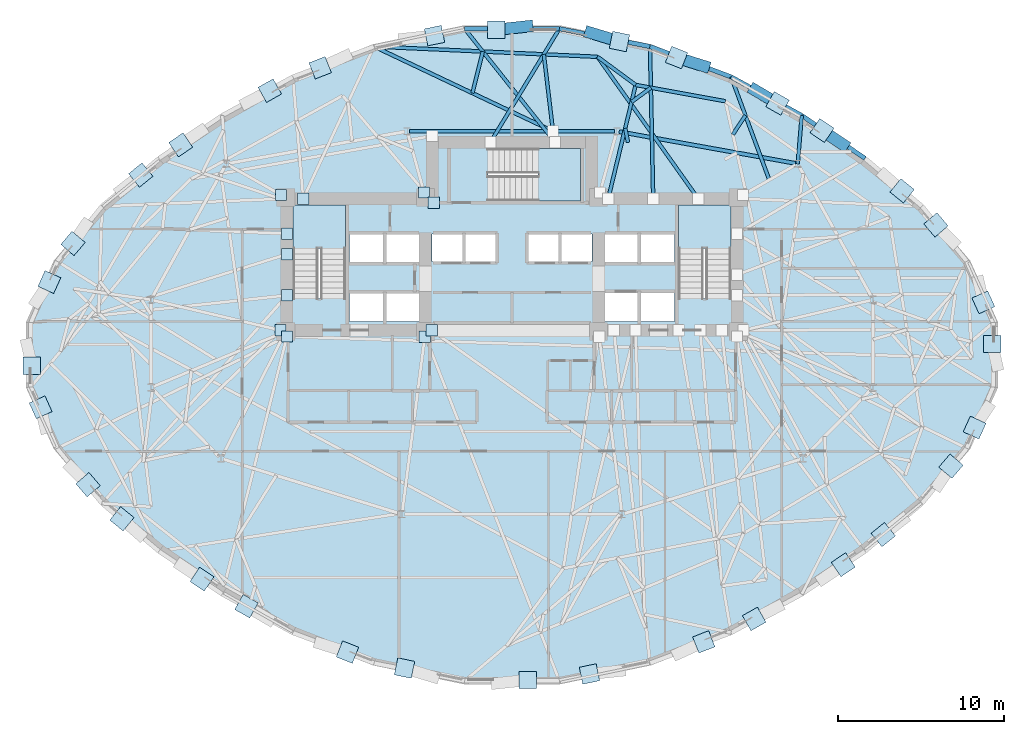
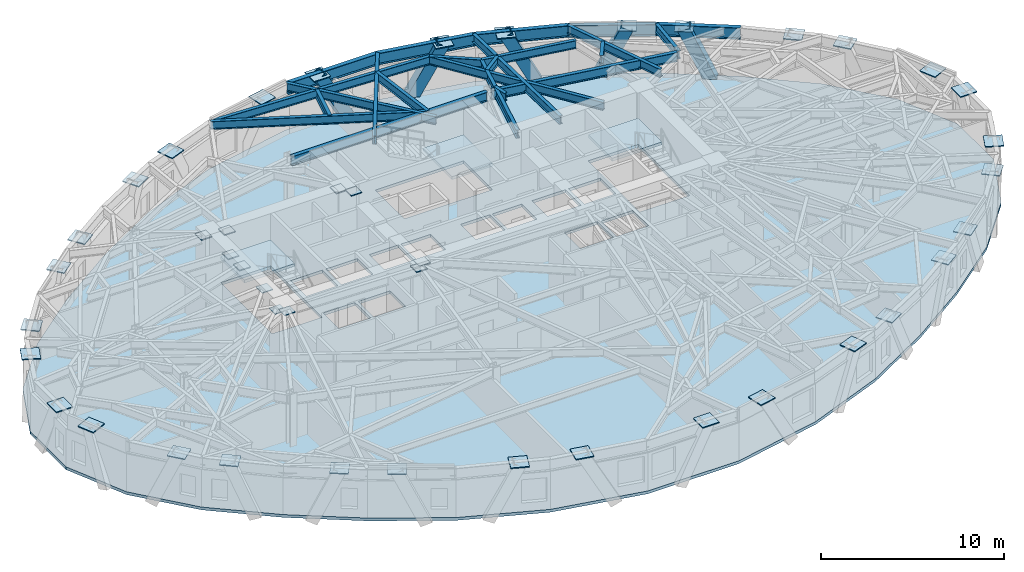
# One storey, part 5 of 14: 43 plates, 23 beams, 5 members, 4 slabs, 3 elements without a shape of their own.
"""IFC4 building model written with IfcOpenShell, lengths in metres."""

from ifc_helpers import new_model, si_unit, direction, frame, origin, origin_2d, place, context, subcontext, project, spatial, polyline, rectangle, hollow_rectangle, i_section, outline, extrude, material, layer, layer_set, material_profile, profile_set, type_object, element, aggregate, save


model = new_model("IFC4")

# Units and contexts
model_context = context("Model", 3, precision=1e-05, world=origin(), true_north=direction((0.0, 1.0)))
body_context = subcontext(model_context, "Body", "Model", "MODEL_VIEW")
ifc_project = project(units=[si_unit("LENGTHUNIT", "METRE"), si_unit("AREAUNIT", "SQUARE_METRE"), si_unit("VOLUMEUNIT", "CUBIC_METRE"), si_unit("PLANEANGLEUNIT", "RADIAN"), si_unit("MASSUNIT", "GRAM", prefix="KILO")], contexts=[model_context])

# Site, building, storey
site_placement = place(None, origin())
site = spatial("IfcSite", under=ifc_project, at=site_placement, CompositionType="ELEMENT")
building_placement = place(site_placement, origin())
building = spatial("IfcBuilding", under=site, at=building_placement, Name="Keldmark Tower", CompositionType="ELEMENT")
storey_placement = place(building_placement, frame((0.0, 0.0, 86.10009765625)))
storey = spatial("IfcBuildingStorey", under=building, at=storey_placement, Name="L22", CompositionType="ELEMENT", Elevation=86.10009765625)

# Members
ifc_material_1 = material(Name="Steel ASTM A572 Grade 50", Category="steel")
ifc_material_profile_1 = material_profile(ifc_material_1, hollow_rectangle(XDim=0.699951171875, YDim=0.699951171875, WallThickness=0.054931640625, at=origin_2d()), Name="BOX700X700X55")
ifc_profile_set_1 = profile_set([ifc_material_profile_1], Name="Steel ASTM A572 Grade 50")
member_type = type_object("IfcMemberType", Name="Diagrid Zone 1 Brace BOX700X700X55", PredefinedType="BRACE", material=ifc_profile_set_1)
member_1_placement = place(storey_placement, frame((19.90478515625, 12.62548828125, -0.27001953125), z_axis=(-0.336502413417, 0.226205475149, 0.91411006382), x_axis=(-0.557889925852, -0.829914953855, 0.0)))
element("IfcMember", 1, at=member_1_placement, inside=storey, type_object=member_type, Name="L22 Perimeter Diagrid Brace 02B", PredefinedType="BRACE", context=body_context, shape_type="SweptSolid", body=[
    extrude(hollow_rectangle(XDim=0.699951171875, YDim=0.699951171875, WallThickness=0.054931640625, at=origin_2d()), origin(), (0.0, 0.0, 1.0), 3.78515625),
])
member_2_placement = place(storey_placement, frame((14.57568359375, 15.91845703125, -0.27001953125), z_axis=(0.362376474624, -0.21307224515, 0.907349717026), x_axis=(0.506860377155, 0.862028165474, 0.0)))
element("IfcMember", 2, at=member_2_placement, inside=storey, type_object=member_type, Name="L22 Perimeter Diagrid Brace 03A", PredefinedType="BRACE", context=body_context, shape_type="SweptSolid", body=[
    extrude(hollow_rectangle(XDim=0.699951171875, YDim=0.699951171875, WallThickness=0.054931640625, at=origin_2d()), origin(), (0.0, 0.0, 1.0), 3.813232421875),
])
member_3_placement = place(storey_placement, frame((11.564453125, 17.337890625, -0.27001953125), z_axis=(-0.432093442347, 0.135328042296, 0.891617394429), x_axis=(-0.298876215948, -0.95429188802, 0.0)))
element("IfcMember", 3, at=member_3_placement, inside=storey, type_object=member_type, Name="L22 Perimeter Diagrid Brace 03B", PredefinedType="BRACE", context=body_context, shape_type="SweptSolid", body=[
    extrude(hollow_rectangle(XDim=0.699951171875, YDim=0.699951171875, WallThickness=0.054931640625, at=origin_2d()), origin(), (0.0, 0.0, 1.0), 3.880615234375),
])
member_4_placement = place(storey_placement, frame((4.68408203125, 19.361328125, -0.27001953125), z_axis=(0.452043716939, -0.136769968843, 0.881447930169), x_axis=(0.289594344193, 0.957149474122, 0.0)))
element("IfcMember", 4, at=member_4_placement, inside=storey, type_object=member_type, Name="L22 Perimeter Diagrid Brace 04A", PredefinedType="BRACE", context=body_context, shape_type="SweptSolid", body=[
    extrude(hollow_rectangle(XDim=0.699951171875, YDim=0.699951171875, WallThickness=0.054931640625, at=origin_2d()), origin(), (0.0, 0.0, 1.0), 3.92529296875),
])
member_5_placement = place(storey_placement, frame((0.952880859375, 19.738037109375, -0.27001953125), z_axis=(-0.48225698925, -0.051033465145, 0.874542041159), x_axis=(0.105234551989, -0.994447429012, 0.0)))
element("IfcMember", 5, at=member_5_placement, inside=storey, type_object=member_type, Name="L22 Perimeter Diagrid Brace 04B", PredefinedType="BRACE", context=body_context, shape_type="SweptSolid", body=[
    extrude(hollow_rectangle(XDim=0.699951171875, YDim=0.699951171875, WallThickness=0.054931640625, at=origin_2d()), origin(), (0.0, 0.0, 1.0), 3.956298828125),
])

# Beams
ifc_material_2 = material(Name="Steel ASTM A992 Grade 50", Category="steel")
ifc_material_profile_2 = material_profile(ifc_material_2, i_section(OverallWidth=0.22900390625, OverallDepth=0.612060546875, WebThickness=0.011962890625, FlangeThickness=0.01953125, at=origin_2d()), Name="W24X84")
ifc_profile_set_2 = profile_set([ifc_material_profile_2], Name="Steel ASTM A992 Grade 50")
beam_type_1 = type_object("IfcBeamType", Name="Primary Floor Girder W24X84", PredefinedType="BEAM", material=ifc_profile_set_2)
beam_1_placement = place(storey_placement, frame((17.029296875, 11.503173828125, 3.00390625), z_axis=(-0.984218266992, 0.176958760505, 0.0), x_axis=(-0.176958760505, -0.984218266992, 0.0)))
element("IfcBeam", 6, at=beam_1_placement, inside=storey, type_object=beam_type_1, Name="L22 Floor Ring Girder FG-R02", PredefinedType="BEAM", context=body_context, shape_type="SweptSolid", body=[
    extrude(i_section(OverallWidth=0.22900390625, OverallDepth=0.612060546875, WebThickness=0.011962890625, FlangeThickness=0.01953125, at=origin_2d()), origin(), (0.0, 0.0, 1.0), 10.7626953125),
])
beam_2_placement = place(storey_placement, frame((6.15869140625, 13.4326171875, 3.00390625), z_axis=(-1.0, 0.0, 0.0), x_axis=(0.0, -1.0, 0.0)))
element("IfcBeam", 7, at=beam_2_placement, inside=storey, type_object=beam_type_1, Name="L22 Floor Ring Girder FG-R03", PredefinedType="BEAM", context=body_context, shape_type="SweptSolid", body=[
    extrude(i_section(OverallWidth=0.22900390625, OverallDepth=0.612060546875, WebThickness=0.011962890625, FlangeThickness=0.01953125, at=origin_2d()), origin(), (0.0, 0.0, 1.0), 12.3173828125),
])
ifc_material_3 = material(Name="Steel ASTM A992 Grade 50", Category="steel")
ifc_material_profile_3 = material_profile(ifc_material_3, i_section(OverallWidth=0.2099609375, OverallDepth=0.537109375, WebThickness=0.010986328125, FlangeThickness=0.017333984375, at=origin_2d()), Name="W21X68")
ifc_profile_set_3 = profile_set([ifc_material_profile_3], Name="Steel ASTM A992 Grade 50")
beam_type_2 = type_object("IfcBeamType", Name="Radial Tie Girder W21X68", PredefinedType="BEAM", material=ifc_profile_set_3)
beam_3_placement = place(storey_placement, frame((17.1669921875, 11.478271484375, 3.04150390625), z_axis=(0.083357785525, 0.996519683495, 0.0), x_axis=(-0.996519683495, 0.083357785525, 0.0)))
element("IfcBeam", 8, at=beam_3_placement, inside=storey, type_object=beam_type_2, Name="L22 Perimeter Column Bracket RT-05", PredefinedType="BEAM", context=body_context, shape_type="SweptSolid", body=[
    extrude(i_section(OverallWidth=0.2099609375, OverallDepth=0.537109375, WebThickness=0.010986328125, FlangeThickness=0.017333984375, at=origin_2d()), origin(), (0.0, 0.0, 1.0), 2.911376953125),
])
beam_4_placement = place(storey_placement, frame((13.269775390625, 13.239501953125, 3.04150390625), z_axis=(0.552723640916, 0.833364612143, 0.0), x_axis=(-0.833364612143, 0.552723640916, 0.0)))
element("IfcBeam", 9, at=beam_4_placement, inside=storey, type_object=beam_type_2, Name="L22 Framing Pin Header PH-014", PredefinedType="BEAM", context=body_context, shape_type="SweptSolid", body=[
    extrude(i_section(OverallWidth=0.2099609375, OverallDepth=0.537109375, WebThickness=0.010986328125, FlangeThickness=0.017333984375, at=origin_2d()), origin(), (0.0, 0.0, 1.0), 1.369384765625),
])
beam_5_placement = place(storey_placement, frame((15.4619140625, 10.508544921875, 3.04150390625), z_axis=(-0.347574523396, 0.937652361318, 0.0), x_axis=(-0.937652361318, -0.347574523396, 0.0)))
element("IfcBeam", 10, at=beam_5_placement, inside=storey, type_object=beam_type_2, Name="L22 Perimeter Radial Tie Girder RT-06", PredefinedType="BEAM", context=body_context, shape_type="SweptSolid", body=[
    extrude(i_section(OverallWidth=0.2099609375, OverallDepth=0.537109375, WebThickness=0.010986328125, FlangeThickness=0.017333984375, at=origin_2d()), origin(), (0.0, 0.0, 1.0), 6.601318359375),
])
beam_6_placement = place(storey_placement, frame((6.973388671875, 12.7626953125, 3.04150390625), z_axis=(-0.198890105233, 0.980021798758, 0.0), x_axis=(-0.980021798758, -0.198890105233, 0.0)))
element("IfcBeam", 11, at=beam_6_placement, inside=storey, type_object=beam_type_2, Name="L22 Framing Pin Header PH-015", PredefinedType="BEAM", context=body_context, shape_type="SweptSolid", body=[
    extrude(i_section(OverallWidth=0.2099609375, OverallDepth=0.537109375, WebThickness=0.010986328125, FlangeThickness=0.017333984375, at=origin_2d()), origin(), (0.0, 0.0, 1.0), 0.863037109375),
])
beam_7_placement = place(storey_placement, frame((5.778564453125, 9.375, 3.04150390625), z_axis=(0.234921939955, 0.972014239673, 0.0), x_axis=(-0.972014239673, 0.234921939955, 0.0)))
element("IfcBeam", 12, at=beam_7_placement, inside=storey, type_object=beam_type_2, Name="L22 Intermediate Radial Step Girder RT-07M", PredefinedType="BEAM", context=body_context, shape_type="SweptSolid", body=[
    extrude(i_section(OverallWidth=0.2099609375, OverallDepth=0.537109375, WebThickness=0.010986328125, FlangeThickness=0.017333984375, at=origin_2d()), origin(), (0.0, 0.0, 1.0), 7.038818359375),
])
beam_8_placement = place(storey_placement, frame((12.819091796875, 15.236328125, 3.04150390625), z_axis=(-0.983837076681, 0.179065927938, 0.0), x_axis=(-0.179065927938, -0.983837076681, 0.0)))
element("IfcBeam", 13, at=beam_8_placement, inside=storey, type_object=beam_type_2, Name="L22 Local Collector Chord RT-07C", PredefinedType="BEAM", context=body_context, shape_type="SweptSolid", body=[
    extrude(i_section(OverallWidth=0.2099609375, OverallDepth=0.537109375, WebThickness=0.010986328125, FlangeThickness=0.017333984375, at=origin_2d()), origin(), (0.0, 0.0, 1.0), 5.475341796875),
])
beam_9_placement = place(storey_placement, frame((7.18408203125, 15.1904296875, 3.04150390625), z_axis=(0.802852553664, 0.596177638859, 0.0), x_axis=(-0.596177638859, 0.802852553664, 0.0)))
element("IfcBeam", 14, at=beam_9_placement, inside=storey, type_object=beam_type_2, Name="L22 Framing Pin Header PH-016", PredefinedType="BEAM", context=body_context, shape_type="SweptSolid", body=[
    extrude(i_section(OverallWidth=0.2099609375, OverallDepth=0.537109375, WebThickness=0.010986328125, FlangeThickness=0.017333984375, at=origin_2d()), origin(), (0.0, 0.0, 1.0), 1.443603515625),
])
beam_10_placement = place(storey_placement, frame((8.485595703125, 9.375, 3.04150390625), z_axis=(-0.021340994824, 0.999772255036, 0.0), x_axis=(-0.999772255036, -0.021340994824, 0.0)))
element("IfcBeam", 15, at=beam_10_placement, inside=storey, type_object=beam_type_2, Name="L22 Perimeter Radial Tie Girder RT-07", PredefinedType="BEAM", context=body_context, shape_type="SweptSolid", body=[
    extrude(i_section(OverallWidth=0.2099609375, OverallDepth=0.537109375, WebThickness=0.010986328125, FlangeThickness=0.017333984375, at=origin_2d()), origin(), (0.0, 0.0, 1.0), 9.152099609375),
])
beam_11_placement = place(storey_placement, frame((11.19287109375, 9.375, 3.04150390625), z_axis=(-0.578669895457, 0.815561862823, 0.0), x_axis=(-0.815561862823, -0.578669895457, 0.0)))
element("IfcBeam", 16, at=beam_11_placement, inside=storey, type_object=beam_type_2, Name="L22 Intermediate Radial Step Girder RT-08M", PredefinedType="BEAM", context=body_context, shape_type="SweptSolid", body=[
    extrude(i_section(OverallWidth=0.2099609375, OverallDepth=0.537109375, WebThickness=0.010986328125, FlangeThickness=0.017333984375, at=origin_2d()), origin(), (0.0, 0.0, 1.0), 10.460693359375),
])
beam_12_placement = place(storey_placement, frame((7.43212890625, 16.216796875, 3.04150390625), z_axis=(-0.805012738928, 0.593257524322, 0.0), x_axis=(-0.593257524322, -0.805012738928, 0.0)))
element("IfcBeam", 17, at=beam_12_placement, inside=storey, type_object=beam_type_2, Name="L22 Local Collector Chord RT-08C", PredefinedType="BEAM", context=body_context, shape_type="SweptSolid", body=[
    extrude(i_section(OverallWidth=0.2099609375, OverallDepth=0.537109375, WebThickness=0.010986328125, FlangeThickness=0.017333984375, at=origin_2d()), origin(), (0.0, 0.0, 1.0), 2.84765625),
])
beam_13_placement = place(storey_placement, frame((5.1396484375, 17.90625, 3.04150390625), z_axis=(-0.99894068477, 0.046016391776, 0.0), x_axis=(-0.046016391776, -0.99894068477, 0.0)))
element("IfcBeam", 18, at=beam_13_placement, inside=storey, type_object=beam_type_2, Name="L22 Straddling Support Chord RT-08RB", PredefinedType="BEAM", context=body_context, shape_type="SweptSolid", body=[
    extrude(i_section(OverallWidth=0.2099609375, OverallDepth=0.537109375, WebThickness=0.010986328125, FlangeThickness=0.017333984375, at=origin_2d()), origin(), (0.0, 0.0, 1.0), 13.444091796875),
])
beam_14_placement = place(storey_placement, frame((2.46337890625, 13.4326171875, 3.04150390625), z_axis=(-0.118475144159, 0.992957018313, 0.0), x_axis=(-0.992957018313, -0.118475144159, 0.0)))
element("IfcBeam", 19, at=beam_14_placement, inside=storey, type_object=beam_type_2, Name="L22 Framing Pin Header PH-040", PredefinedType="BEAM", context=body_context, shape_type="SweptSolid", body=[
    extrude(i_section(OverallWidth=0.2099609375, OverallDepth=0.537109375, WebThickness=0.010986328125, FlangeThickness=0.017333984375, at=origin_2d()), origin(), (0.0, 0.0, 1.0), 4.655029296875),
])
beam_15_placement = place(storey_placement, frame((-1.293701171875, 12.77490234375, 3.04150390625), z_axis=(0.518956577687, 0.854800602758, 0.0), x_axis=(-0.854800602758, 0.518956577687, 0.0)))
element("IfcBeam", 20, at=beam_15_placement, inside=storey, type_object=beam_type_2, Name="L22 Perimeter Radial Tie Girder RT-08R", PredefinedType="BEAM", context=body_context, shape_type="SweptSolid", body=[
    extrude(i_section(OverallWidth=0.2099609375, OverallDepth=0.537109375, WebThickness=0.010986328125, FlangeThickness=0.017333984375, at=origin_2d()), origin(), (0.0, 0.0, 1.0), 7.979736328125),
])
beam_16_placement = place(storey_placement, frame((2.46337890625, 13.4326171875, 3.04150390625), z_axis=(-0.903788386651, 0.427979616518, 0.0), x_axis=(-0.427979616518, -0.903788386651, 0.0)))
element("IfcBeam", 21, at=beam_16_placement, inside=storey, type_object=beam_type_2, Name="L22 Straddling Support Chord RT-09RB", PredefinedType="BEAM", context=body_context, shape_type="SweptSolid", body=[
    extrude(i_section(OverallWidth=0.2099609375, OverallDepth=0.537109375, WebThickness=0.010986328125, FlangeThickness=0.017333984375, at=origin_2d()), origin(), (0.0, 0.0, 1.0), 11.8984375),
])
beam_17_placement = place(storey_placement, frame((-2.375732421875, 15.72412109375, 3.04150390625), z_axis=(0.24139812914, 0.970426165789, 0.0), x_axis=(-0.970426165789, 0.24139812914, 0.0)))
element("IfcBeam", 22, at=beam_17_placement, inside=storey, type_object=beam_type_2, Name="L22 Framing Pin Header PH-041", PredefinedType="BEAM", context=body_context, shape_type="SweptSolid", body=[
    extrude(i_section(OverallWidth=0.2099609375, OverallDepth=0.537109375, WebThickness=0.010986328125, FlangeThickness=0.017333984375, at=origin_2d()), origin(), (0.0, 0.0, 1.0), 2.575927734375),
])
beam_18_placement = place(storey_placement, frame((2.58740234375, 12.77490234375, 3.04150390625), z_axis=(-0.62315421326, 0.782098987659, 0.0), x_axis=(-0.782098987659, -0.62315421326, 0.0)))
element("IfcBeam", 23, at=beam_18_placement, inside=storey, type_object=beam_type_2, Name="L22 Perimeter Radial Tie Girder RT-09R", PredefinedType="BEAM", context=body_context, shape_type="SweptSolid", body=[
    extrude(i_section(OverallWidth=0.2099609375, OverallDepth=0.537109375, WebThickness=0.010986328125, FlangeThickness=0.017333984375, at=origin_2d()), origin(), (0.0, 0.0, 1.0), 8.721435546875),
])
ifc_material_4 = material(Name="Steel ASTM A992 Grade 50", Category="steel")
ifc_material_profile_4 = material_profile(ifc_material_4, i_section(OverallWidth=0.26806640625, OverallDepth=0.77001953125, WebThickness=0.015625, FlangeThickness=0.025390625, at=origin_2d()), Name="W30X132")
ifc_profile_set_4 = profile_set([ifc_material_profile_4], Name="Steel ASTM A992 Grade 50")
beam_type_3 = type_object("IfcBeamType", Name="Spandrel Ring Beam W30X132", PredefinedType="SPANDREL", material=ifc_profile_set_4)
beam_19_placement = place(storey_placement, frame((21.213623046875, 11.80078125, 2.9248046875), z_axis=(-0.827742791179, 0.561107718403, 0.0), x_axis=(-0.561107718403, -0.827742791179, 0.0)))
element("IfcBeam", 24, at=beam_19_placement, inside=storey, type_object=beam_type_3, Name="L22 Perimeter Spandrel Ring Beam SRB-04", PredefinedType="SPANDREL", context=body_context, shape_type="SweptSolid", body=[
    extrude(i_section(OverallWidth=0.26806640625, OverallDepth=0.77001953125, WebThickness=0.015625, FlangeThickness=0.025390625, at=origin_2d()), origin(), (0.0, 0.0, 1.0), 4.595458984375),
])
beam_20_placement = place(storey_placement, frame((17.40966796875, 14.37939453125, 2.9248046875), z_axis=(-0.877466786029, 0.479637404104, 0.0), x_axis=(-0.479637404104, -0.877466786029, 0.0)))
element("IfcBeam", 25, at=beam_20_placement, inside=storey, type_object=beam_type_3, Name="L22 Perimeter Spandrel Ring Beam SRB-05", PredefinedType="SPANDREL", context=body_context, shape_type="SweptSolid", body=[
    extrude(i_section(OverallWidth=0.26806640625, OverallDepth=0.77001953125, WebThickness=0.015625, FlangeThickness=0.025390625, at=origin_2d()), origin(), (0.0, 0.0, 1.0), 4.83447265625),
])
beam_21_placement = place(storey_placement, frame((13.16748046875, 16.6982421875, 2.9248046875), z_axis=(-0.936473584013, 0.350738116613, 0.0), x_axis=(-0.350738116613, -0.936473584013, 0.0)))
element("IfcBeam", 26, at=beam_21_placement, inside=storey, type_object=beam_type_3, Name="L22 Perimeter Spandrel Ring Beam SRB-06", PredefinedType="SPANDREL", context=body_context, shape_type="SweptSolid", body=[
    extrude(i_section(OverallWidth=0.26806640625, OverallDepth=0.77001953125, WebThickness=0.015625, FlangeThickness=0.025390625, at=origin_2d()), origin(), (0.0, 0.0, 1.0), 5.2080078125),
])
beam_22_placement = place(storey_placement, frame((8.290283203125, 18.52490234375, 2.9248046875), z_axis=(-0.981183659994, 0.193076734386, 0.0), x_axis=(-0.193076734386, -0.981183659994, 0.0)))
element("IfcBeam", 27, at=beam_22_placement, inside=storey, type_object=beam_type_3, Name="L22 Perimeter Spandrel Ring Beam SRB-07", PredefinedType="SPANDREL", context=body_context, shape_type="SweptSolid", body=[
    extrude(i_section(OverallWidth=0.26806640625, OverallDepth=0.77001953125, WebThickness=0.015625, FlangeThickness=0.025390625, at=origin_2d()), origin(), (0.0, 0.0, 1.0), 5.54736328125),
])
beam_23_placement = place(storey_placement, frame((2.847412109375, 19.595947265625, 2.9248046875), z_axis=(-1.0, 0.0, 0.0), x_axis=(0.0, -1.0, 0.0)))
element("IfcBeam", 28, at=beam_23_placement, inside=storey, type_object=beam_type_3, Name="L22 Perimeter Spandrel Ring Beam SRB-08", PredefinedType="SPANDREL", context=body_context, shape_type="SweptSolid", body=[
    extrude(i_section(OverallWidth=0.26806640625, OverallDepth=0.77001953125, WebThickness=0.015625, FlangeThickness=0.025390625, at=origin_2d()), origin(), (0.0, 0.0, 1.0), 5.69482421875),
])

# Plates
ifc_material_5 = material(Name="Steel ASTM A572 Grade 50", Category="steel")
ifc_layer_1 = layer(ifc_material_5, 0.06005859375)
ifc_layer_set_1 = layer_set([ifc_layer_1], Name="Steel ASTM A572 Grade 50")
plate_type_1 = type_object("IfcPlateType", Name="Belt Truss Kink Node Assembly KN01 60 mm", PredefinedType="USERDEFINED", material=ifc_layer_set_1)
for number, where, z_axis, x_axis, name in (
    (29, (-5.28515625, 9.758544921875, 3.0078125), (0.0, 0.0, 1.0), (1.0, 0.0, 0.0), "L22 Core Wall Cast-In Embed Plate 591"),
    (30, (-13.878173828125, 9.608154296875, 3.0078125), (0.0, 0.0, 1.0), (1.0, 0.0, 0.0), "L22 Core Wall Cast-In Embed Plate 592"),
    (31, (-13.91162109375, 1.473388671875, 3.0078125), (0.0, 0.0, 1.0), (1.0, 0.0, 0.0), "L22 Core Wall Cast-In Embed Plate 593"),
    (32, (-5.24072265625, 1.08251953125, 3.0078125), (0.0, 0.0, 1.0), (1.0, 0.0, 0.0), "L22 Core Wall Cast-In Embed Plate 594"),
    (33, (-4.699951171875, 9.139892578125, 3.01416015625), (0.0, 0.0, 1.0), (1.0, 0.0, 0.0), "L22 Core Wall Cast-In Embed Plate 596"),
    (34, (-13.52490234375, 6.04296875, 3.01416015625), (0.0, 0.0, 1.0), (1.0, 0.0, 0.0), "L22 Core Wall Cast-In Embed Plate 599"),
    (35, (-12.54638671875, 9.375, 3.01416015625), (0.0, 0.0, 1.0), (1.0, 0.0, 0.0), "L22 Core Wall Cast-In Embed Plate 606"),
    (36, (-13.52490234375, 7.278564453125, 3.01416015625), (0.0, 0.0, 1.0), (1.0, 0.0, 0.0), "L22 Core Wall Cast-In Embed Plate 607"),
    (37, (-13.52490234375, 3.5712890625, 3.01416015625), (0.0, 0.0, 1.0), (1.0, 0.0, 0.0), "L22 Core Wall Cast-In Embed Plate 608"),
    (38, (-4.824951171875, 1.47509765625, 3.01416015625), (0.0, 0.0, 1.0), (1.0, 0.0, 0.0), "L22 Core Wall Cast-In Embed Plate 613"),
    (39, (-13.52490234375, 1.10009765625, 3.01416015625), (0.0, 0.0, 1.0), (1.0, 0.0, 0.0), "L22 Core Wall Cast-In Embed Plate 614"),
):
    element("IfcPlate", number, at=place(storey_placement, frame(where, z_axis=z_axis, x_axis=x_axis)), inside=storey, type_object=plate_type_1, Name=name, ObjectType="CAP PLATE", PredefinedType="USERDEFINED", context=body_context, shape_type="SweptSolid", body=[
        extrude(rectangle(XDim=0.679931640625, YDim=0.679931640625, at=origin_2d()), origin(), (0.0, 0.0, 1.0), 0.054931640625),
    ])
ifc_material_6 = material(Name="Steel ASTM A572 Grade 50", Category="steel")
ifc_layer_2 = layer(ifc_material_6, 0.06494140625)
ifc_layer_set_2 = layer_set([ifc_layer_2], Name="Steel ASTM A572 Grade 50")
plate_type_2 = type_object("IfcPlateType", Name="Diagrid Node Assembly DN02 65 mm", PredefinedType="USERDEFINED", material=ifc_layer_set_2)
for number, where, z_axis, x_axis, name in (
    (40, (28.3232421875, 3.15380859375, 3.157470703125), (0.0, 0.0, 1.0), (-0.411832473288, 0.911259575503, 0.0), "L22 Diagrid Node Assembly 01"),
    (41, (25.4755859375, 7.80615234375, 3.157470703125), (0.0, 0.0, 1.0), (-0.648917026597, 0.760859180527, 0.0), "L22 Diagrid Node Assembly 02"),
    (42, (23.441650390625, 9.855712890625, 3.157470703125), (0.0, 0.0, 1.0), (-0.775716079622, 0.63108205791, 0.0), "L22 Diagrid Node Assembly 03"),
    (43, (18.631103515625, 13.481689453125, 3.157470703125), (0.0, 0.0, 1.0), (-0.827766671236, 0.56107248907, 0.0), "L22 Diagrid Node Assembly 04"),
    (44, (15.95751953125, 15.10595703125, 3.157470703125), (0.0, 0.0, 1.0), (-0.870699260309, 0.49181581725, 0.0), "L22 Diagrid Node Assembly 05"),
    (45, (9.8876953125, 17.863037109375, 3.157470703125), (0.0, 0.0, 1.0), (-0.931055815863, 0.364876784338, 0.0), "L22 Diagrid Node Assembly 06"),
    (46, (6.45849609375, 18.824462890625, 3.157470703125), (0.0, 0.0, 1.0), (-0.979116497217, 0.2032999874, 0.0), "L22 Diagrid Node Assembly 07"),
    (47, (-0.955078125, 19.5361328125, 3.157470703125), (0.0, 0.0, 1.0), (-1.0, 0.0, 0.0), "L22 Diagrid Node Assembly 08"),
    (48, (-4.65576171875, 19.17919921875, 3.157470703125), (0.0, 0.0, 1.0), (-0.979116497217, -0.2032999874, 0.0), "L22 Diagrid Node Assembly 09"),
    (49, (-11.5244140625, 17.249755859375, 3.157470703125), (0.0, 0.0, 1.0), (-0.931055815863, -0.364876784338, 0.0), "L22 Diagrid Node Assembly 10"),
    (50, (-14.55322265625, 15.872314453125, 3.157470703125), (0.0, 0.0, 1.0), (-0.870699260309, -0.49181581725, 0.0), "L22 Diagrid Node Assembly 11"),
    (51, (-19.907470703125, 12.614013671875, 3.157470703125), (0.0, 0.0, 1.0), (-0.827766671236, -0.56107248907, 0.0), "L22 Diagrid Node Assembly 12"),
    (52, (-22.3076171875, 10.80419921875, 3.157470703125), (0.0, 0.0, 1.0), (-0.775716079622, -0.63108205791, 0.0), "L22 Diagrid Node Assembly 13"),
    (53, (-26.37841796875, 6.693115234375, 3.157470703125), (0.0, 0.0, 1.0), (-0.648917026597, -0.760859180527, 0.0), "L22 Diagrid Node Assembly 14"),
    (54, (-27.798583984375, 4.372314453125, 3.157470703125), (0.0, 0.0, 1.0), (-0.411832473288, -0.911259575503, 0.0), "L22 Diagrid Node Assembly 15"),
    (55, (-28.849853515625, -0.649169921875, 3.157470703125), (0.0, 0.0, 1.0), (0.0, -1.0, 0.0), "L22 Diagrid Node Assembly 16"),
    (56, (-28.3232421875, -3.15380859375, 3.157470703125), (0.0, 0.0, 1.0), (0.411832473288, -0.911259575503, 0.0), "L22 Diagrid Node Assembly 17"),
    (57, (-25.4755859375, -7.80615234375, 3.157470703125), (0.0, 0.0, 1.0), (0.648917026597, -0.760859180527, 0.0), "L22 Diagrid Node Assembly 18"),
    (58, (-23.441650390625, -9.855712890625, 3.157470703125), (0.0, 0.0, 1.0), (0.775716079622, -0.63108205791, 0.0), "L22 Diagrid Node Assembly 19"),
    (59, (-18.631103515625, -13.481689453125, 3.157470703125), (0.0, 0.0, 1.0), (0.827766671236, -0.56107248907, 0.0), "L22 Diagrid Node Assembly 20"),
    (60, (-15.95751953125, -15.10595703125, 3.157470703125), (0.0, 0.0, 1.0), (0.870699260309, -0.49181581725, 0.0), "L22 Diagrid Node Assembly 21"),
    (61, (-9.8876953125, -17.863037109375, 3.157470703125), (0.0, 0.0, 1.0), (0.931055815863, -0.364876784338, 0.0), "L22 Diagrid Node Assembly 22"),
    (62, (-6.45849609375, -18.824462890625, 3.157470703125), (0.0, 0.0, 1.0), (0.979116497217, -0.2032999874, 0.0), "L22 Diagrid Node Assembly 23"),
    (63, (0.955078125, -19.5361328125, 3.157470703125), (0.0, 0.0, 1.0), (1.0, 0.0, 0.0), "L22 Diagrid Node Assembly 24"),
    (64, (4.65576171875, -19.17919921875, 3.157470703125), (0.0, 0.0, 1.0), (0.979116497217, 0.2032999874, 0.0), "L22 Diagrid Node Assembly 25"),
    (65, (11.5244140625, -17.249755859375, 3.157470703125), (0.0, 0.0, 1.0), (0.931055815863, 0.364876784338, 0.0), "L22 Diagrid Node Assembly 26"),
    (66, (14.55322265625, -15.872314453125, 3.157470703125), (0.0, 0.0, 1.0), (0.870699260309, 0.49181581725, 0.0), "L22 Diagrid Node Assembly 27"),
    (67, (19.907470703125, -12.614013671875, 3.157470703125), (0.0, 0.0, 1.0), (0.827766671236, 0.56107248907, 0.0), "L22 Diagrid Node Assembly 28"),
    (68, (22.3076171875, -10.80419921875, 3.157470703125), (0.0, 0.0, 1.0), (0.775716079622, 0.63108205791, 0.0), "L22 Diagrid Node Assembly 29"),
    (69, (26.37841796875, -6.693115234375, 3.157470703125), (0.0, 0.0, 1.0), (0.648917026597, 0.760859180527, 0.0), "L22 Diagrid Node Assembly 30"),
    (70, (27.798583984375, -4.372314453125, 3.157470703125), (0.0, 0.0, 1.0), (0.411832473288, 0.911259575503, 0.0), "L22 Diagrid Node Assembly 31"),
    (71, (28.849853515625, 0.649169921875, 3.157470703125), (0.0, 0.0, 1.0), (0.0, 1.0, 0.0), "L22 Diagrid Node Assembly 32"),
):
    element("IfcPlate", number, at=place(storey_placement, frame(where, z_axis=z_axis, x_axis=x_axis)), inside=storey, type_object=plate_type_2, Name=name, ObjectType="GUSSET", PredefinedType="USERDEFINED", context=body_context, shape_type="SweptSolid", body=[
        extrude(rectangle(XDim=1.0400390625, YDim=1.0400390625, at=origin_2d()), origin(), (0.0, 0.0, 1.0), 0.06494140625),
    ])

# Slab
ifc_material_7 = material(Name="Concrete C35/45", Category="concrete")
ifc_layer_3 = layer(ifc_material_7, 0.18994140625)
ifc_layer_set_3 = layer_set([ifc_layer_3], Name="Concrete C35/45")
slab_type_1 = type_object("IfcSlabType", Name="Mid-Rise Office Composite Slab 190 mm", PredefinedType="FLOOR", material=ifc_layer_set_3)
slab_1_placement = place(storey_placement, frame((0.0, 0.0, -0.190185546875)))
element("IfcSlab", 72, at=slab_1_placement, inside=storey, type_object=slab_type_1, Name="L22 Composite Structural Floor Slab", PredefinedType="FLOOR", context=body_context, shape_type="SweptSolid", body=[
    extrude(outline(polyline([(29.2080078125, 1.949951171875), (27.531005859375, 5.660888671875), (24.720458984375, 8.956298828125), (21.2197265625, 11.803955078125), (17.41455078125, 14.383056640625), (13.21337890625, 16.755859375), (8.3515625, 18.660888671875), (2.876708984375, 19.797607421875), (-2.876708984375, 19.797607421875), (-8.3515625, 18.660888671875), (-13.21337890625, 16.755859375), (-17.41455078125, 14.383056640625), (-21.2197265625, 11.803955078125), (-24.720458984375, 8.956298828125), (-27.531005859375, 5.660888671875), (-29.2080078125, 1.949951171875), (-29.2080078125, -1.949951171875), (-27.531005859375, -5.660888671875), (-24.720458984375, -8.956298828125), (-21.2197265625, -11.803955078125), (-17.41455078125, -14.383056640625), (-13.21337890625, -16.755859375), (-8.3515625, -18.660888671875), (-2.876708984375, -19.797607421875), (2.876708984375, -19.797607421875), (8.3515625, -18.660888671875), (13.21337890625, -16.755859375), (17.41455078125, -14.383056640625), (21.2197265625, -11.803955078125), (24.720458984375, -8.956298828125), (27.531005859375, -5.660888671875), (29.2080078125, -1.949951171875), (29.2080078125, 1.949951171875)]), holes=[polyline([(-10.0, 3.385009765625), (-10.0, 9.0), (-13.14990234375, 9.0), (-13.14990234375, 3.385009765625), (-10.0, 3.385009765625)]), polyline([(13.14990234375, 3.385009765625), (13.14990234375, 9.0), (10.0, 9.0), (10.0, 3.385009765625), (13.14990234375, 3.385009765625)]), polyline([(-1.43994140625, 9.25), (4.10498046875, 9.25), (4.10498046875, 12.39990234375), (-1.43994140625, 12.39990234375), (-1.43994140625, 9.25)]), polyline([(-9.75, 2.0), (-7.75, 2.0), (-7.75, 3.699951171875), (-9.75, 3.699951171875), (-9.75, 2.0)]), polyline([(7.75, 2.0), (9.75, 2.0), (9.75, 3.699951171875), (7.75, 3.699951171875), (7.75, 2.0)]), polyline([(5.449951171875, 2.0), (7.550048828125, 2.0), (7.550048828125, 3.75), (5.449951171875, 3.75), (5.449951171875, 2.0)]), polyline([(-4.800048828125, 5.60009765625), (-2.949951171875, 5.60009765625), (-2.949951171875, 7.25), (-4.800048828125, 7.25), (-4.800048828125, 5.60009765625)]), polyline([(-2.800048828125, 5.60009765625), (-0.949951171875, 5.60009765625), (-0.949951171875, 7.25), (-2.800048828125, 7.25), (-2.800048828125, 5.60009765625)]), polyline([(0.949951171875, 5.60009765625), (2.800048828125, 5.60009765625), (2.800048828125, 7.25), (0.949951171875, 7.25), (0.949951171875, 5.60009765625)]), polyline([(2.949951171875, 5.60009765625), (4.800048828125, 5.60009765625), (4.800048828125, 7.25), (2.949951171875, 7.25), (2.949951171875, 5.60009765625)]), polyline([(-9.75, 5.550048828125), (-7.75, 5.550048828125), (-7.75, 7.25), (-9.75, 7.25), (-9.75, 5.550048828125)]), polyline([(-7.550048828125, 5.550048828125), (-5.550048828125, 5.550048828125), (-5.550048828125, 7.25), (-7.550048828125, 7.25), (-7.550048828125, 5.550048828125)]), polyline([(-7.550048828125, 2.0), (-5.550048828125, 2.0), (-5.550048828125, 3.699951171875), (-7.550048828125, 3.699951171875), (-7.550048828125, 2.0)]), polyline([(5.449951171875, 5.550048828125), (7.550048828125, 5.550048828125), (7.550048828125, 7.25), (5.449951171875, 7.25), (5.449951171875, 5.550048828125)]), polyline([(7.75, 5.550048828125), (9.75, 5.550048828125), (9.75, 7.25), (7.75, 7.25), (7.75, 5.550048828125)])]), origin(), (0.0, 0.0, 1.0), 0.190185546875),
])

# Stair, slab
ifc_material_8 = material(Name="Concrete C40/50", Category="concrete")
stair_type = type_object("IfcStairType", Name="Precast Concrete Core Exit Stair", PredefinedType="HALF_TURN_STAIR", material=ifc_material_8)
stair_1_placement = place(storey_placement, origin())
stair_1 = element("IfcStair", 73, at=stair_1_placement, inside=storey, type_object=stair_type, Name="L22 Exit Stair ST1", PredefinedType="HALF_TURN_STAIR")
ifc_material_9 = material(Name="Concrete C40/50", Category="concrete")
ifc_layer_4 = layer(ifc_material_9, 0.199951171875)
ifc_layer_set_4 = layer_set([ifc_layer_4], Name="Concrete C40/50")
slab_type_2 = type_object("IfcSlabType", Name="Reinforced Concrete Stair Landing 200 mm", PredefinedType="LANDING", material=ifc_layer_set_4)
slab_2_placement = place(storey_placement, frame((0.0, 0.0, 1.5498046875)))
slab_2 = element("IfcSlab", 74, at=slab_2_placement, type_object=slab_type_2, Name="ST1 landing 1", PredefinedType="LANDING", context=body_context, shape_type="SweptSolid", body=[
    extrude(outline(polyline([(-10.0, 6.389892578125), (-10.0, 9.0), (-13.14990234375, 9.0), (-13.14990234375, 6.389892578125), (-10.0, 6.389892578125)])), origin(), (0.0, 0.0, 1.0), 0.2001953125),
])
aggregate(stair_1, [slab_2])

stair_2_placement = place(storey_placement, origin())
stair_2 = element("IfcStair", 75, at=stair_2_placement, inside=storey, type_object=stair_type, Name="L22 Exit Stair ST2", PredefinedType="HALF_TURN_STAIR")
slab_3_placement = place(storey_placement, frame((0.0, 0.0, 1.5498046875)))
slab_3 = element("IfcSlab", 76, at=slab_3_placement, type_object=slab_type_2, Name="ST2 landing 1", PredefinedType="LANDING", context=body_context, shape_type="SweptSolid", body=[
    extrude(outline(polyline([(13.14990234375, 6.389892578125), (13.14990234375, 9.0), (10.0, 9.0), (10.0, 6.389892578125), (13.14990234375, 6.389892578125)])), origin(), (0.0, 0.0, 1.0), 0.2001953125),
])
aggregate(stair_2, [slab_3])

stair_3_placement = place(storey_placement, origin())
stair_3 = element("IfcStair", 77, at=stair_3_placement, inside=storey, type_object=stair_type, Name="L22 Exit Stair ST3", PredefinedType="HALF_TURN_STAIR")
slab_4_placement = place(storey_placement, frame((0.0, 0.0, 1.5498046875)))
slab_4 = element("IfcSlab", 78, at=slab_4_placement, type_object=slab_type_2, Name="ST3 landing 1", PredefinedType="LANDING", context=body_context, shape_type="SweptSolid", body=[
    extrude(outline(polyline([(1.56494140625, 9.25), (4.10498046875, 9.25), (4.10498046875, 12.39990234375), (1.56494140625, 12.39990234375), (1.56494140625, 9.25)])), origin(), (0.0, 0.0, 1.0), 0.2001953125),
])
aggregate(stair_3, [slab_4])

save(model, "model.ifc")
